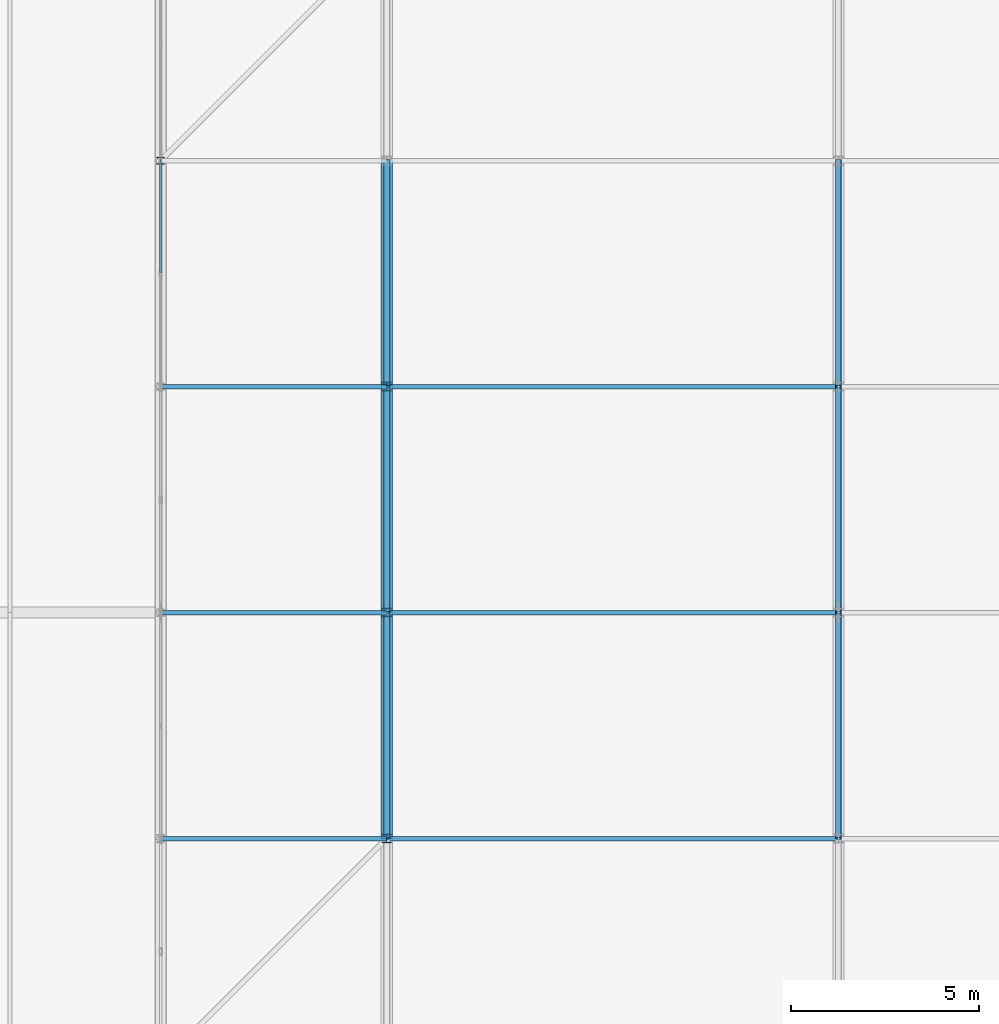
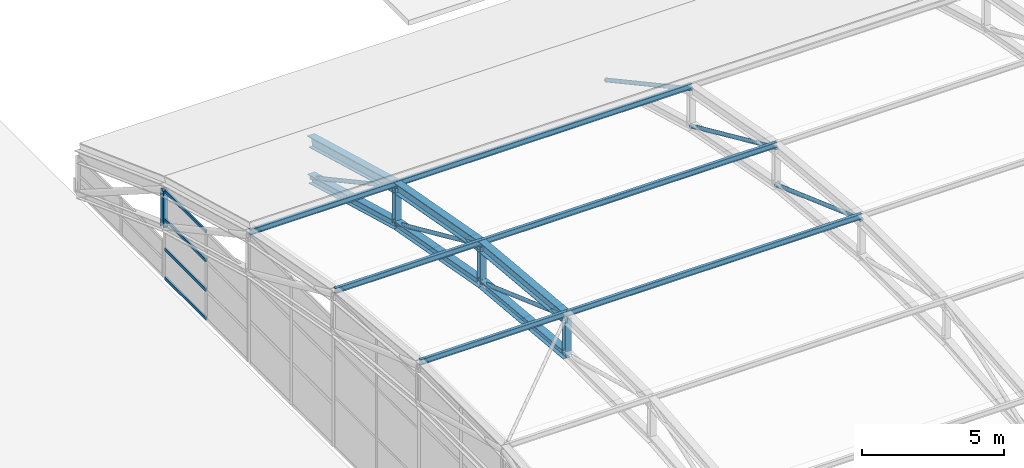
# One storey, part 38 of 204: 26 members, 1 element without a shape of its own.
"""IFC4 building model written with IfcOpenShell, lengths in metres."""

from ifc_helpers import new_model, si_unit, direction, frame, origin, origin_2d, place, context, subcontext, project, spatial, hollow_rectangle, hollow_circle, i_section, extrude, material, layer, layer_set, material_profile, profile_set, type_object, element, aggregate, save


model = new_model("IFC4")

# Units and contexts
model_context = context("Model", 3, precision=1e-05, world=origin(), true_north=direction((0.0, 1.0)))
body_context = subcontext(model_context, "Body", "Model", "MODEL_VIEW")
ifc_project = project(units=[si_unit("LENGTHUNIT", "METRE"), si_unit("AREAUNIT", "SQUARE_METRE"), si_unit("VOLUMEUNIT", "CUBIC_METRE"), si_unit("PLANEANGLEUNIT", "RADIAN"), si_unit("MASSUNIT", "GRAM", prefix="KILO")], contexts=[model_context])

# Site, building, storey
site_placement = place(None, origin())
site = spatial("IfcSite", under=ifc_project, at=site_placement, CompositionType="ELEMENT")
building_placement = place(site_placement, origin())
building = spatial("IfcBuilding", under=site, at=building_placement, Name="Zilviju Railside Exhibition Hall", CompositionType="ELEMENT")
storey_placement = place(building_placement, frame((0.0, 0.0, 21.0)))
storey = spatial("IfcBuildingStorey", under=building, at=storey_placement, Name="RF", CompositionType="ELEMENT", Elevation=21.0)

# Curtain wall, members
ifc_material_1 = material(Name="Thermally broken aluminium-steel triple-glazed curtain wall", Category="steel")
ifc_layer = layer(ifc_material_1, 0.179931640625)
ifc_layer_set = layer_set([ifc_layer], Name="Thermally broken aluminium-steel triple-glazed curtain wall")
curtain_wall_type = type_object("IfcCurtainWallType", Name="CW-BAY-16", PredefinedType="USERDEFINED", material=ifc_layer_set)
curtain_wall_placement = place(storey_placement, origin())
curtain_wall = element("IfcCurtainWall", 1, at=curtain_wall_placement, inside=storey, type_object=curtain_wall_type, Name="South Hall Arch Tympanum Glazing West P8", ObjectType="GLAZED CURTAIN WALL", PredefinedType="USERDEFINED")
ifc_material_2 = material(Name="Thermally broken anodized aluminium transom", Category="aluminium")
ifc_material_profile_1 = material_profile(ifc_material_2, hollow_rectangle(XDim=0.06494140625, YDim=0.1298828125, WallThickness=0.0048828125, at=origin_2d()), Name="TRANSOM 130x65x5")
ifc_profile_set_1 = profile_set([ifc_material_profile_1], Name="Thermally broken anodized aluminium transom")
member_type_1 = type_object("IfcMemberType", Name="CWT-65x130", PredefinedType="USERDEFINED", material=ifc_profile_set_1)
member_1_placement = place(storey_placement, frame((78.0, 45.032470703125, -7.767578125), z_axis=(0.0, 1.0, 0.0), x_axis=(-1.0, 0.0, 0.0)))
member_1 = element("IfcMember", 2, at=member_1_placement, type_object=member_type_1, Name="CW-16 transom 2.1", ObjectType="TRANSOM", PredefinedType="USERDEFINED", context=body_context, shape_type="SweptSolid", body=[
    extrude(hollow_rectangle(XDim=0.06494140625, YDim=0.1298828125, WallThickness=0.0048828125, at=origin_2d()), origin(), (0.0, 0.0, 1.0), 2.902587890625),
])
member_2_placement = place(storey_placement, frame((78.0, 45.032470703125, -6.529052734375), z_axis=(0.0, 1.0, 0.0), x_axis=(-1.0, 0.0, 0.0)))
member_2 = element("IfcMember", 3, at=member_2_placement, type_object=member_type_1, Name="CW-16 transom 2.2", ObjectType="TRANSOM", PredefinedType="USERDEFINED", context=body_context, shape_type="SweptSolid", body=[
    extrude(hollow_rectangle(XDim=0.06494140625, YDim=0.1298828125, WallThickness=0.0048828125, at=origin_2d()), origin(), (0.0, 0.0, 1.0), 2.902587890625),
])
member_3_placement = place(storey_placement, frame((78.0, 45.032470703125, -5.259033203125), z_axis=(0.0, 1.0, 0.0), x_axis=(-1.0, 0.0, 0.0)))
member_3 = element("IfcMember", 4, at=member_3_placement, type_object=member_type_1, Name="CW-16 transom 2.3", ObjectType="TRANSOM", PredefinedType="USERDEFINED", context=body_context, shape_type="SweptSolid", body=[
    extrude(hollow_rectangle(XDim=0.06494140625, YDim=0.1298828125, WallThickness=0.0048828125, at=origin_2d()), origin(), (0.0, 0.0, 1.0), 2.902587890625),
])
member_4_placement = place(storey_placement, frame((78.0, 45.032470703125, -4.0205078125), z_axis=(0.0, 1.0, 0.0), x_axis=(-1.0, 0.0, 0.0)))
member_4 = element("IfcMember", 5, at=member_4_placement, type_object=member_type_1, Name="CW-16 transom 2.4", ObjectType="TRANSOM", PredefinedType="USERDEFINED", context=body_context, shape_type="SweptSolid", body=[
    extrude(hollow_rectangle(XDim=0.06494140625, YDim=0.1298828125, WallThickness=0.0048828125, at=origin_2d()), origin(), (0.0, 0.0, 1.0), 2.902587890625),
])
aggregate(curtain_wall, [member_1, member_2, member_3, member_4])

# Members
ifc_material_3 = material(Name="Steel S355J2", Category="steel")
ifc_material_profile_2 = material_profile(ifc_material_3, hollow_circle(Radius=0.084228515625, WallThickness=0.008056640625, at=origin_2d()), Name="CHS 168.3x8.0")
ifc_profile_set_2 = profile_set([ifc_material_profile_2], Name="Steel S355J2")
member_type_2 = type_object("IfcMemberType", Name="TR-BR-CHS168", PredefinedType="BRACE", material=ifc_profile_set_2)
member_5_placement = place(storey_placement, frame((84.0, 30.0, -0.669189453125), z_axis=(0.0, 0.94123307508, -0.337757751023), x_axis=(-1.0, 0.0, 0.0)))
element("IfcMember", 6, at=member_5_placement, inside=storey, type_object=member_type_2, Name="V1 Parabolic Arch Web Diagonal X=84.0 P6", PredefinedType="BRACE", context=body_context, shape_type="SweptSolid", body=[
    extrude(hollow_circle(Radius=0.084228515625, WallThickness=0.008056640625, at=origin_2d()), origin(), (0.0, 0.0, 1.0), 6.37451171875),
])
member_6_placement = place(storey_placement, frame((84.0, 36.0, -1.22216796875), z_axis=(0.0, 0.911563042822, -0.411160332425), x_axis=(-1.0, 0.0, 0.0)))
element("IfcMember", 7, at=member_6_placement, inside=storey, type_object=member_type_2, Name="V1 Parabolic Arch Web Diagonal X=84.0 P7", PredefinedType="BRACE", context=body_context, shape_type="SweptSolid", body=[
    extrude(hollow_circle(Radius=0.084228515625, WallThickness=0.008056640625, at=origin_2d()), origin(), (0.0, 0.0, 1.0), 6.58203125),
])
member_7_placement = place(storey_placement, frame((84.0, 42.0, -2.328369140625), z_axis=(0.0, 0.87872232578, -0.477333294644), x_axis=(-1.0, 0.0, 0.0)))
element("IfcMember", 8, at=member_7_placement, inside=storey, type_object=member_type_2, Name="V1 Parabolic Arch Web Diagonal X=84.0 P8", PredefinedType="BRACE", context=body_context, shape_type="SweptSolid", body=[
    extrude(hollow_circle(Radius=0.084228515625, WallThickness=0.008056640625, at=origin_2d()), origin(), (0.0, 0.0, 1.0), 6.828125),
])
member_8_placement = place(storey_placement, frame((96.0, 30.0, -0.669189453125), z_axis=(0.0, 0.94123307508, -0.337757751023), x_axis=(-1.0, 0.0, 0.0)))
element("IfcMember", 9, at=member_8_placement, inside=storey, type_object=member_type_2, Name="V1 Parabolic Arch Web Diagonal X=96.0 P6", PredefinedType="BRACE", context=body_context, shape_type="SweptSolid", body=[
    extrude(hollow_circle(Radius=0.084228515625, WallThickness=0.008056640625, at=origin_2d()), origin(), (0.0, 0.0, 1.0), 6.37451171875),
])
member_9_placement = place(storey_placement, frame((96.0, 36.0, -1.22216796875), z_axis=(0.0, 0.911563042822, -0.411160332425), x_axis=(-1.0, 0.0, 0.0)))
element("IfcMember", 10, at=member_9_placement, inside=storey, type_object=member_type_2, Name="V1 Parabolic Arch Web Diagonal X=96.0 P7", PredefinedType="BRACE", context=body_context, shape_type="SweptSolid", body=[
    extrude(hollow_circle(Radius=0.084228515625, WallThickness=0.008056640625, at=origin_2d()), origin(), (0.0, 0.0, 1.0), 6.58203125),
])
member_10_placement = place(storey_placement, frame((96.0, 42.0, -2.328369140625), z_axis=(0.0, 0.87872232578, -0.477333294644), x_axis=(-1.0, 0.0, 0.0)))
element("IfcMember", 11, at=member_10_placement, inside=storey, type_object=member_type_2, Name="V1 Parabolic Arch Web Diagonal X=96.0 P8", PredefinedType="BRACE", context=body_context, shape_type="SweptSolid", body=[
    extrude(hollow_circle(Radius=0.084228515625, WallThickness=0.008056640625, at=origin_2d()), origin(), (0.0, 0.0, 1.0), 6.828125),
])
ifc_material_profile_3 = material_profile(ifc_material_3, i_section(OverallWidth=0.300048828125, OverallDepth=0.360107421875, WebThickness=0.012451171875, FlangeThickness=0.0224609375, at=origin_2d()), Name="HEB 360")
ifc_profile_set_3 = profile_set([ifc_material_profile_3], Name="Steel S355J2")
member_type_3 = type_object("IfcMemberType", Name="TR-CH-HEB360", PredefinedType="CHORD", material=ifc_profile_set_3)
member_11_placement = place(storey_placement, frame((84.0, 30.0, -2.26904296875), z_axis=(0.0, 0.995776144786, -0.091814320641), x_axis=(-1.0, 0.0, 0.0)))
element("IfcMember", 12, at=member_11_placement, inside=storey, type_object=member_type_3, Name="V1 Parabolic Arch Bottom Chord X=84.0 P6", PredefinedType="CHORD", context=body_context, shape_type="SweptSolid", body=[
    extrude(i_section(OverallWidth=0.300048828125, OverallDepth=0.360107421875, WebThickness=0.012451171875, FlangeThickness=0.0224609375, at=origin_2d()), origin(), (0.0, 0.0, 1.0), 6.025390625),
])
member_12_placement = place(storey_placement, frame((84.0, 36.0, -2.822265625), z_axis=(0.0, 0.98342578549, -0.18131112606), x_axis=(-1.0, 0.0, 0.0)))
element("IfcMember", 13, at=member_12_placement, inside=storey, type_object=member_type_3, Name="V1 Parabolic Arch Bottom Chord X=84.0 P7", PredefinedType="CHORD", context=body_context, shape_type="SweptSolid", body=[
    extrude(i_section(OverallWidth=0.300048828125, OverallDepth=0.360107421875, WebThickness=0.012451171875, FlangeThickness=0.0224609375, at=origin_2d()), origin(), (0.0, 0.0, 1.0), 6.10107421875),
])
member_13_placement = place(storey_placement, frame((84.0, 42.0, -3.928466796875), z_axis=(0.0, 0.963827412659, -0.266527144223), x_axis=(-1.0, 0.0, 0.0)))
element("IfcMember", 14, at=member_13_placement, inside=storey, type_object=member_type_3, Name="V1 Parabolic Arch Bottom Chord X=84.0 P8", PredefinedType="CHORD", context=body_context, shape_type="SweptSolid", body=[
    extrude(i_section(OverallWidth=0.300048828125, OverallDepth=0.360107421875, WebThickness=0.012451171875, FlangeThickness=0.0224609375, at=origin_2d()), origin(), (0.0, 0.0, 1.0), 6.22509765625),
])
ifc_material_profile_4 = material_profile(ifc_material_3, i_section(OverallWidth=0.300048828125, OverallDepth=0.449951171875, WebThickness=0.013916015625, FlangeThickness=0.02587890625, at=origin_2d()), Name="HEB 450")
ifc_profile_set_4 = profile_set([ifc_material_profile_4], Name="Steel S355J2")
member_type_4 = type_object("IfcMemberType", Name="TR-CH-HEB450", PredefinedType="CHORD", material=ifc_profile_set_4)
member_14_placement = place(storey_placement, frame((84.0, 30.0, -0.669189453125), z_axis=(0.0, 0.99577984843, -0.091774143746), x_axis=(-1.0, 0.0, 0.0)))
element("IfcMember", 15, at=member_14_placement, inside=storey, type_object=member_type_4, Name="V1 Parabolic Arch Top Chord X=84.0 P6", PredefinedType="CHORD", context=body_context, shape_type="SweptSolid", body=[
    extrude(i_section(OverallWidth=0.300048828125, OverallDepth=0.449951171875, WebThickness=0.013916015625, FlangeThickness=0.02587890625, at=origin_2d()), origin(), (0.0, 0.0, 1.0), 6.025390625),
])
member_15_placement = place(storey_placement, frame((84.0, 36.0, -1.22216796875), z_axis=(0.0, 0.98342578549, -0.18131112606), x_axis=(-1.0, 0.0, 0.0)))
element("IfcMember", 16, at=member_15_placement, inside=storey, type_object=member_type_4, Name="V1 Parabolic Arch Top Chord X=84.0 P7", PredefinedType="CHORD", context=body_context, shape_type="SweptSolid", body=[
    extrude(i_section(OverallWidth=0.300048828125, OverallDepth=0.449951171875, WebThickness=0.013916015625, FlangeThickness=0.02587890625, at=origin_2d()), origin(), (0.0, 0.0, 1.0), 6.10107421875),
])
member_16_placement = place(storey_placement, frame((84.0, 42.0, -2.328369140625), z_axis=(0.0, 0.963827412659, -0.266527144223), x_axis=(-1.0, 0.0, 0.0)))
element("IfcMember", 17, at=member_16_placement, inside=storey, type_object=member_type_4, Name="V1 Parabolic Arch Top Chord X=84.0 P8", PredefinedType="CHORD", context=body_context, shape_type="SweptSolid", body=[
    extrude(i_section(OverallWidth=0.300048828125, OverallDepth=0.449951171875, WebThickness=0.013916015625, FlangeThickness=0.02587890625, at=origin_2d()), origin(), (0.0, 0.0, 1.0), 6.22509765625),
])
ifc_material_4 = material(Name="Steel S355ML", Category="steel")
ifc_material_profile_5 = material_profile(ifc_material_4, i_section(OverallWidth=0.199951171875, OverallDepth=0.18994140625, WebThickness=0.006591796875, FlangeThickness=0.010009765625, at=origin_2d()), Name="HEA 200")
ifc_profile_set_5 = profile_set([ifc_material_profile_5], Name="Steel S355ML")
member_type_5 = type_object("IfcMemberType", Name="TR-POST-HEA200", PredefinedType="POST", material=ifc_profile_set_5)
member_17_placement = place(storey_placement, frame((78.0, 48.0, -5.587646484375), z_axis=(0.0, 0.0, 1.0), x_axis=(1.0, 0.0, 0.0)))
element("IfcMember", 18, at=member_17_placement, inside=storey, type_object=member_type_5, Name="V1 Parabolic Arch Web Post X=78.0 N8", PredefinedType="POST", context=body_context, shape_type="SweptSolid", body=[
    extrude(i_section(OverallWidth=0.199951171875, OverallDepth=0.18994140625, WebThickness=0.006591796875, FlangeThickness=0.010009765625, at=origin_2d()), origin(), (0.0, 0.0, 1.0), 1.60009765625),
])
ifc_material_profile_6 = material_profile(ifc_material_3, i_section(OverallWidth=0.239990234375, OverallDepth=0.22998046875, WebThickness=0.007568359375, FlangeThickness=0.011962890625, at=origin_2d()), Name="HEA 240")
ifc_profile_set_6 = profile_set([ifc_material_profile_6], Name="Steel S355J2")
member_type_6 = type_object("IfcMemberType", Name="TR-POST-HEA240", PredefinedType="POST", material=ifc_profile_set_6)
member_18_placement = place(storey_placement, frame((84.0, 30.0, -2.26904296875), z_axis=(0.0, 0.0, 1.0), x_axis=(1.0, 0.0, 0.0)))
element("IfcMember", 19, at=member_18_placement, inside=storey, type_object=member_type_6, Name="V1 Parabolic Arch Web Post X=84.0 N5", PredefinedType="POST", context=body_context, shape_type="SweptSolid", body=[
    extrude(i_section(OverallWidth=0.239990234375, OverallDepth=0.22998046875, WebThickness=0.007568359375, FlangeThickness=0.011962890625, at=origin_2d()), origin(), (0.0, 0.0, 1.0), 1.599853515625),
])
for number, where, z_axis, x_axis, name in (
    (20, (84.0, 36.0, -2.822265625), (0.0, 0.0, 1.0), (1.0, 0.0, 0.0), "V1 Parabolic Arch Web Post X=84.0 N6"),
    (21, (84.0, 42.0, -3.928466796875), (0.0, 0.0, 1.0), (1.0, 0.0, 0.0), "V1 Parabolic Arch Web Post X=84.0 N7"),
):
    element("IfcMember", number, at=place(storey_placement, frame(where, z_axis=z_axis, x_axis=x_axis)), inside=storey, type_object=member_type_6, Name=name, PredefinedType="POST", context=body_context, shape_type="SweptSolid", body=[
        extrude(i_section(OverallWidth=0.239990234375, OverallDepth=0.22998046875, WebThickness=0.007568359375, FlangeThickness=0.011962890625, at=origin_2d()), origin(), (0.0, 0.0, 1.0), 1.60009765625),
    ])
ifc_material_profile_7 = material_profile(ifc_material_3, i_section(OverallWidth=0.1201171875, OverallDepth=0.239990234375, WebThickness=0.006103515625, FlangeThickness=0.009765625, at=origin_2d()), Name="IPE 240")
ifc_profile_set_7 = profile_set([ifc_material_profile_7], Name="Steel S355J2")
member_type_7 = type_object("IfcMemberType", Name="TR-PUR-IPE240", PredefinedType="PURLIN", material=ifc_profile_set_7)
for number, where, z_axis, x_axis, name in (
    (22, (78.0, 30.0, -0.515625), (1.0, 0.0, 0.0), (0.0, 1.0, 0.0), "V1 Barrel Vault Roof Purlin Y=30.0 (78.0..84.0)"),
    (23, (78.0, 36.0, -1.0771484375), (1.0, 0.0, 0.0), (0.0, 1.0, 0.0), "V1 Barrel Vault Roof Purlin Y=36.0 (78.0..84.0)"),
    (24, (78.0, 42.0, -2.193603515625), (1.0, 0.0, 0.0), (0.0, 1.0, 0.0), "V1 Barrel Vault Roof Purlin Y=42.0 (78.0..84.0)"),
):
    element("IfcMember", number, at=place(storey_placement, frame(where, z_axis=z_axis, x_axis=x_axis)), inside=storey, type_object=member_type_7, Name=name, PredefinedType="PURLIN", context=body_context, shape_type="SweptSolid", body=[
        extrude(i_section(OverallWidth=0.1201171875, OverallDepth=0.239990234375, WebThickness=0.006103515625, FlangeThickness=0.009765625, at=origin_2d()), origin(), (0.0, 0.0, 1.0), 6.0),
    ])
for number, where, z_axis, x_axis, name in (
    (25, (84.0, 30.0, -0.515625), (1.0, 0.0, 0.0), (0.0, 1.0, 0.0), "V1 Barrel Vault Roof Purlin Y=30.0 (84.0..96.0)"),
    (26, (84.0, 36.0, -1.0771484375), (1.0, 0.0, 0.0), (0.0, 1.0, 0.0), "V1 Barrel Vault Roof Purlin Y=36.0 (84.0..96.0)"),
    (27, (84.0, 42.0, -2.193603515625), (1.0, 0.0, 0.0), (0.0, 1.0, 0.0), "V1 Barrel Vault Roof Purlin Y=42.0 (84.0..96.0)"),
):
    element("IfcMember", number, at=place(storey_placement, frame(where, z_axis=z_axis, x_axis=x_axis)), inside=storey, type_object=member_type_7, Name=name, PredefinedType="PURLIN", context=body_context, shape_type="SweptSolid", body=[
        extrude(i_section(OverallWidth=0.1201171875, OverallDepth=0.239990234375, WebThickness=0.006103515625, FlangeThickness=0.009765625, at=origin_2d()), origin(), (0.0, 0.0, 1.0), 12.0),
    ])

save(model, "model.ifc")
